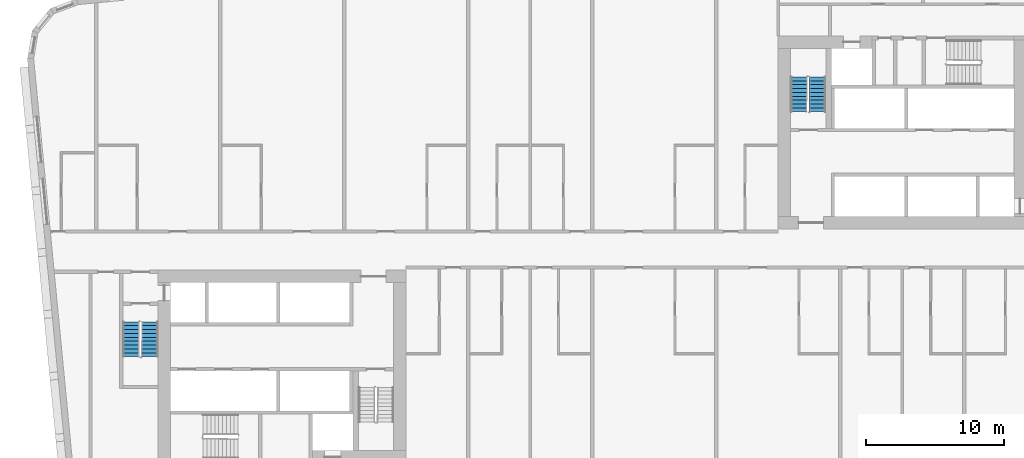
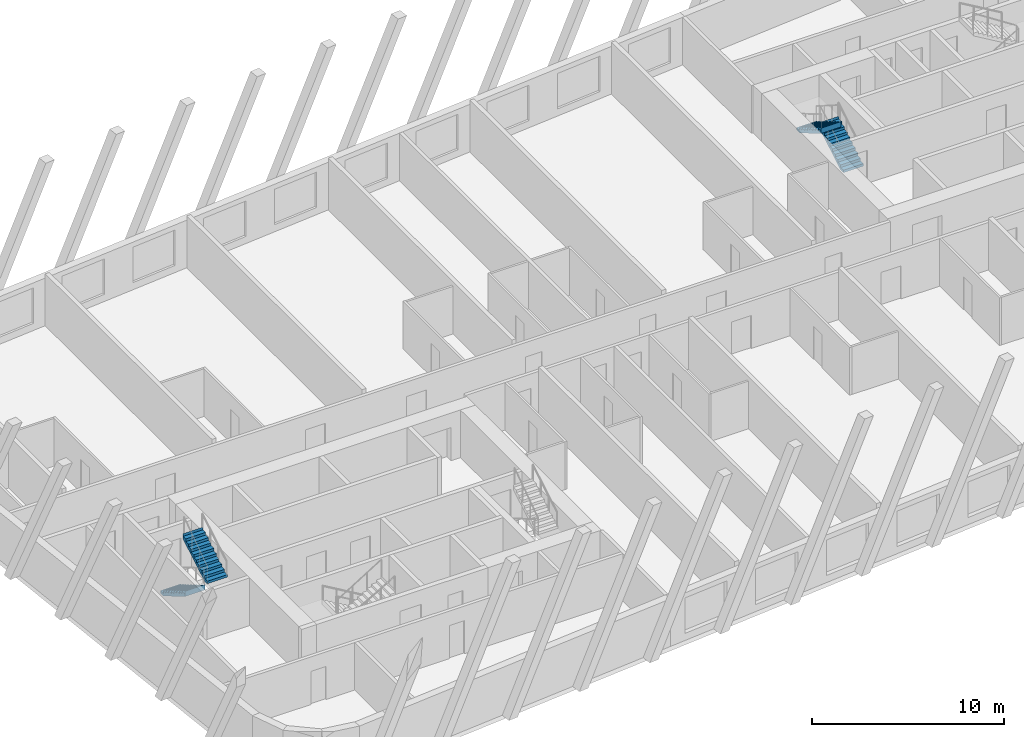
# One storey, part 10 of 13: 4 stair flights, 2 elements without a shape of their own.
"""IFC4 building model written with IfcOpenShell, lengths in metres."""

from ifc_helpers import new_model, si_unit, direction, frame, origin, place, context, subcontext, project, spatial, faceted_brep, material, type_object, element, aggregate, save


model = new_model("IFC4")

# Units and contexts
model_context = context("Model", 3, precision=1e-05, world=origin(), true_north=direction((0.0, 1.0)))
body_context = subcontext(model_context, "Body", "Model", "MODEL_VIEW")
ifc_project = project(units=[si_unit("LENGTHUNIT", "METRE"), si_unit("AREAUNIT", "SQUARE_METRE"), si_unit("VOLUMEUNIT", "CUBIC_METRE"), si_unit("PLANEANGLEUNIT", "RADIAN"), si_unit("MASSUNIT", "GRAM", prefix="KILO")], contexts=[model_context])

# Site, building, storey
site_placement = place(None, origin())
site = spatial("IfcSite", under=ifc_project, at=site_placement, CompositionType="ELEMENT")
building_placement = place(site_placement, origin())
building = spatial("IfcBuilding", under=site, at=building_placement, Name="Kajstack Hotel Tower", CompositionType="ELEMENT")
storey_placement = place(building_placement, frame((0.0, 0.0, 140.5)))
storey = spatial("IfcBuildingStorey", under=building, at=storey_placement, Name="L32", CompositionType="ELEMENT", Elevation=140.5)

# Stair, stair flights
ifc_material = material(Name="Concrete C40/50", Category="concrete")
stair_type = type_object("IfcStairType", Name="Exit stair 1200", PredefinedType="HALF_TURN_STAIR", material=ifc_material)
stair_1_placement = place(storey_placement, origin())
stair_1 = element("IfcStair", 1, at=stair_1_placement, inside=storey, type_object=stair_type, Name="L32 stair W1", PredefinedType="HALF_TURN_STAIR")
stair_flight_type = type_object("IfcStairFlightType", Name="Exit stair flight 1200", PredefinedType="STRAIGHT", material=ifc_material)
stair_flight_1_placement = place(storey_placement, frame((-33.449951171875, -5.25, 0.0), z_axis=(0.0, 0.0, 1.0), x_axis=(0.0, -1.0, 0.0)))
stair_flight_1 = element("IfcStairFlight", 2, at=stair_flight_1_placement, type_object=stair_flight_type, Name="W1 flight 1", NumberOfRisers=10, NumberOfTreads=9, PredefinedType="STRAIGHT", RiserHeight=0.165, TreadLength=0.28, context=body_context, shape_type="Brep", body=[
    faceted_brep([(0.295654296875, -0.60009765625, 0.0), (2.5205078125, -0.60009765625, 1.31103515625), (2.5205078125, -0.60009765625, 1.64990234375), (2.52001953125, -0.60009765625, 1.64990234375), (2.52001953125, -0.60009765625, 1.485107421875), (2.239990234375, -0.60009765625, 1.485107421875), (2.239990234375, -0.60009765625, 1.320068359375), (1.9599609375, -0.60009765625, 1.320068359375), (1.9599609375, -0.60009765625, 1.155029296875), (1.679931640625, -0.60009765625, 1.155029296875), (1.679931640625, -0.60009765625, 0.989990234375), (1.39990234375, -0.60009765625, 0.989990234375), (1.39990234375, -0.60009765625, 0.824951171875), (1.1201171875, -0.60009765625, 0.824951171875), (1.1201171875, -0.60009765625, 0.659912109375), (0.840087890625, -0.60009765625, 0.659912109375), (0.840087890625, -0.60009765625, 0.4951171875), (0.56005859375, -0.60009765625, 0.4951171875), (0.56005859375, -0.60009765625, 0.330078125), (0.280029296875, -0.60009765625, 0.330078125), (0.280029296875, -0.60009765625, 0.1650390625), (-0.00048828125, -0.60009765625, 0.1650390625), (-0.00048828125, -0.60009765625, 0.0), (-0.00048828125, 0.60009765625, 0.0), (-0.00048828125, 0.60009765625, 0.1650390625), (0.280029296875, 0.60009765625, 0.1650390625), (0.280029296875, 0.60009765625, 0.330078125), (0.56005859375, 0.60009765625, 0.330078125), (0.56005859375, 0.60009765625, 0.4951171875), (0.840087890625, 0.60009765625, 0.4951171875), (0.840087890625, 0.60009765625, 0.659912109375), (1.1201171875, 0.60009765625, 0.659912109375), (1.1201171875, 0.60009765625, 0.824951171875), (1.39990234375, 0.60009765625, 0.824951171875), (1.39990234375, 0.60009765625, 0.989990234375), (1.679931640625, 0.60009765625, 0.989990234375), (1.679931640625, 0.60009765625, 1.155029296875), (1.9599609375, 0.60009765625, 1.155029296875), (1.9599609375, 0.60009765625, 1.320068359375), (2.239990234375, 0.60009765625, 1.320068359375), (2.239990234375, 0.60009765625, 1.485107421875), (2.52001953125, 0.60009765625, 1.485107421875), (2.52001953125, 0.60009765625, 1.64990234375), (2.5205078125, 0.60009765625, 1.64990234375), (2.5205078125, 0.60009765625, 1.31103515625), (0.295654296875, 0.60009765625, 0.0), (-0.00048828125, -0.300048828125, 0.1650390625), (-0.00048828125, 0.0, 0.1650390625), (-0.00048828125, 0.300048828125, 0.1650390625), (-0.00048828125, 0.300048828125, 0.0), (-0.00048828125, 0.0, 0.0), (-0.00048828125, -0.300048828125, 0.0), (0.280029296875, -0.300048828125, 0.1650390625), (0.280029296875, 0.0, 0.1650390625), (0.280029296875, 0.300048828125, 0.1650390625), (0.280029296875, -0.300048828125, 0.330078125), (0.280029296875, 0.0, 0.330078125), (0.280029296875, 0.300048828125, 0.330078125), (0.56005859375, -0.300048828125, 0.330078125), (0.56005859375, 0.0, 0.330078125), (0.56005859375, 0.300048828125, 0.330078125), (0.56005859375, -0.300048828125, 0.4951171875), (0.56005859375, 0.0, 0.4951171875), (0.56005859375, 0.300048828125, 0.4951171875), (0.840087890625, -0.300048828125, 0.4951171875), (0.840087890625, 0.0, 0.4951171875), (0.840087890625, 0.300048828125, 0.4951171875), (0.840087890625, -0.300048828125, 0.659912109375), (0.840087890625, 0.0, 0.659912109375), (0.840087890625, 0.300048828125, 0.659912109375), (1.1201171875, -0.300048828125, 0.659912109375), (1.1201171875, 0.0, 0.659912109375), (1.1201171875, 0.300048828125, 0.659912109375), (1.1201171875, -0.300048828125, 0.824951171875), (1.1201171875, 0.0, 0.824951171875), (1.1201171875, 0.300048828125, 0.824951171875), (1.39990234375, -0.300048828125, 0.824951171875), (1.39990234375, 0.0, 0.824951171875), (1.39990234375, 0.300048828125, 0.824951171875), (1.39990234375, -0.300048828125, 0.989990234375), (1.39990234375, 0.0, 0.989990234375), (1.39990234375, 0.300048828125, 0.989990234375), (1.679931640625, -0.300048828125, 0.989990234375), (1.679931640625, 0.0, 0.989990234375), (1.679931640625, 0.300048828125, 0.989990234375), (1.679931640625, -0.300048828125, 1.155029296875), (1.679931640625, 0.0, 1.155029296875), (1.679931640625, 0.300048828125, 1.155029296875), (1.9599609375, -0.300048828125, 1.155029296875), (1.9599609375, 0.0, 1.155029296875), (1.9599609375, 0.300048828125, 1.155029296875), (1.9599609375, -0.300048828125, 1.320068359375), (1.9599609375, 0.0, 1.320068359375), (1.9599609375, 0.300048828125, 1.320068359375), (2.239990234375, -0.300048828125, 1.320068359375), (2.239990234375, 0.0, 1.320068359375), (2.239990234375, 0.300048828125, 1.320068359375), (2.239990234375, -0.300048828125, 1.485107421875), (2.239990234375, 0.0, 1.485107421875), (2.239990234375, 0.300048828125, 1.485107421875), (2.52001953125, -0.300048828125, 1.485107421875), (2.52001953125, 0.0, 1.485107421875), (2.52001953125, 0.300048828125, 1.485107421875), (2.52001953125, -0.300048828125, 1.64990234375), (2.52001953125, 0.0, 1.64990234375), (2.52001953125, 0.300048828125, 1.64990234375), (2.5205078125, -0.300048828125, 1.64990234375), (2.5205078125, 0.0, 1.64990234375), (2.5205078125, 0.300048828125, 1.64990234375), (2.5205078125, -0.300048828125, 1.31103515625), (2.5205078125, 0.0, 1.31103515625), (2.5205078125, 0.300048828125, 1.31103515625), (0.295654296875, -0.300048828125, 0.0), (0.295654296875, 0.0, 0.0), (0.295654296875, 0.300048828125, 0.0)], [[[0, 1, 2, 3, 4, 5, 6, 7, 8, 9, 10, 11, 12, 13, 14, 15, 16, 17, 18, 19, 20, 21, 22]], [[23, 24, 25, 26, 27, 28, 29, 30, 31, 32, 33, 34, 35, 36, 37, 38, 39, 40, 41, 42, 43, 44, 45]], [[21, 46, 47, 48, 24, 23, 49, 50, 51, 22]], [[20, 52, 53, 54, 25, 24, 48, 47, 46, 21]], [[19, 55, 56, 57, 26, 25, 54, 53, 52, 20]], [[18, 58, 59, 60, 27, 26, 57, 56, 55, 19]], [[17, 61, 62, 63, 28, 27, 60, 59, 58, 18]], [[16, 64, 65, 66, 29, 28, 63, 62, 61, 17]], [[15, 67, 68, 69, 30, 29, 66, 65, 64, 16]], [[14, 70, 71, 72, 31, 30, 69, 68, 67, 15]], [[13, 73, 74, 75, 32, 31, 72, 71, 70, 14]], [[12, 76, 77, 78, 33, 32, 75, 74, 73, 13]], [[11, 79, 80, 81, 34, 33, 78, 77, 76, 12]], [[10, 82, 83, 84, 35, 34, 81, 80, 79, 11]], [[9, 85, 86, 87, 36, 35, 84, 83, 82, 10]], [[8, 88, 89, 90, 37, 36, 87, 86, 85, 9]], [[7, 91, 92, 93, 38, 37, 90, 89, 88, 8]], [[6, 94, 95, 96, 39, 38, 93, 92, 91, 7]], [[5, 97, 98, 99, 40, 39, 96, 95, 94, 6]], [[4, 100, 101, 102, 41, 40, 99, 98, 97, 5]], [[3, 103, 104, 105, 42, 41, 102, 101, 100, 4]], [[2, 106, 107, 108, 43, 42, 105, 104, 103, 3]], [[1, 109, 110, 111, 44, 43, 108, 107, 106, 2]], [[0, 112, 113, 114, 45, 44, 111, 110, 109, 1]], [[22, 51, 50, 49, 23, 45, 114, 113, 112, 0]]]),
])
stair_flight_2_placement = place(storey_placement, frame((-32.10009765625, -7.77001953125, 1.64990234375), z_axis=(0.0, 0.0, 1.0), x_axis=(0.0, 1.0, 0.0)))
stair_flight_2 = element("IfcStairFlight", 3, at=stair_flight_2_placement, type_object=stair_flight_type, Name="W1 flight 2", NumberOfRisers=10, NumberOfTreads=9, PredefinedType="STRAIGHT", RiserHeight=0.165, TreadLength=0.28, context=body_context, shape_type="Brep", body=[
    faceted_brep([(0.295654296875, -0.60009765625, 0.0), (2.5205078125, -0.60009765625, 1.31103515625), (2.5205078125, -0.60009765625, 1.64990234375), (2.52001953125, -0.60009765625, 1.64990234375), (2.52001953125, -0.60009765625, 1.485107421875), (2.239990234375, -0.60009765625, 1.485107421875), (2.239990234375, -0.60009765625, 1.320068359375), (1.9599609375, -0.60009765625, 1.320068359375), (1.9599609375, -0.60009765625, 1.155029296875), (1.679931640625, -0.60009765625, 1.155029296875), (1.679931640625, -0.60009765625, 0.989990234375), (1.39990234375, -0.60009765625, 0.989990234375), (1.39990234375, -0.60009765625, 0.824951171875), (1.1201171875, -0.60009765625, 0.824951171875), (1.1201171875, -0.60009765625, 0.659912109375), (0.840087890625, -0.60009765625, 0.659912109375), (0.840087890625, -0.60009765625, 0.4951171875), (0.56005859375, -0.60009765625, 0.4951171875), (0.56005859375, -0.60009765625, 0.330078125), (0.280029296875, -0.60009765625, 0.330078125), (0.280029296875, -0.60009765625, 0.1650390625), (-0.00048828125, -0.60009765625, 0.1650390625), (-0.00048828125, -0.60009765625, 0.0), (-0.00048828125, 0.60009765625, 0.0), (-0.00048828125, 0.60009765625, 0.1650390625), (0.280029296875, 0.60009765625, 0.1650390625), (0.280029296875, 0.60009765625, 0.330078125), (0.56005859375, 0.60009765625, 0.330078125), (0.56005859375, 0.60009765625, 0.4951171875), (0.840087890625, 0.60009765625, 0.4951171875), (0.840087890625, 0.60009765625, 0.659912109375), (1.1201171875, 0.60009765625, 0.659912109375), (1.1201171875, 0.60009765625, 0.824951171875), (1.39990234375, 0.60009765625, 0.824951171875), (1.39990234375, 0.60009765625, 0.989990234375), (1.679931640625, 0.60009765625, 0.989990234375), (1.679931640625, 0.60009765625, 1.155029296875), (1.9599609375, 0.60009765625, 1.155029296875), (1.9599609375, 0.60009765625, 1.320068359375), (2.239990234375, 0.60009765625, 1.320068359375), (2.239990234375, 0.60009765625, 1.485107421875), (2.52001953125, 0.60009765625, 1.485107421875), (2.52001953125, 0.60009765625, 1.64990234375), (2.5205078125, 0.60009765625, 1.64990234375), (2.5205078125, 0.60009765625, 1.31103515625), (0.295654296875, 0.60009765625, 0.0), (-0.00048828125, -0.300048828125, 0.1650390625), (-0.00048828125, 0.0, 0.1650390625), (-0.00048828125, 0.300048828125, 0.1650390625), (-0.00048828125, 0.300048828125, 0.0), (-0.00048828125, 0.0, 0.0), (-0.00048828125, -0.300048828125, 0.0), (0.280029296875, -0.300048828125, 0.1650390625), (0.280029296875, 0.0, 0.1650390625), (0.280029296875, 0.300048828125, 0.1650390625), (0.280029296875, -0.300048828125, 0.330078125), (0.280029296875, 0.0, 0.330078125), (0.280029296875, 0.300048828125, 0.330078125), (0.56005859375, -0.300048828125, 0.330078125), (0.56005859375, 0.0, 0.330078125), (0.56005859375, 0.300048828125, 0.330078125), (0.56005859375, -0.300048828125, 0.4951171875), (0.56005859375, 0.0, 0.4951171875), (0.56005859375, 0.300048828125, 0.4951171875), (0.840087890625, -0.300048828125, 0.4951171875), (0.840087890625, 0.0, 0.4951171875), (0.840087890625, 0.300048828125, 0.4951171875), (0.840087890625, -0.300048828125, 0.659912109375), (0.840087890625, 0.0, 0.659912109375), (0.840087890625, 0.300048828125, 0.659912109375), (1.1201171875, -0.300048828125, 0.659912109375), (1.1201171875, 0.0, 0.659912109375), (1.1201171875, 0.300048828125, 0.659912109375), (1.1201171875, -0.300048828125, 0.824951171875), (1.1201171875, 0.0, 0.824951171875), (1.1201171875, 0.300048828125, 0.824951171875), (1.39990234375, -0.300048828125, 0.824951171875), (1.39990234375, 0.0, 0.824951171875), (1.39990234375, 0.300048828125, 0.824951171875), (1.39990234375, -0.300048828125, 0.989990234375), (1.39990234375, 0.0, 0.989990234375), (1.39990234375, 0.300048828125, 0.989990234375), (1.679931640625, -0.300048828125, 0.989990234375), (1.679931640625, 0.0, 0.989990234375), (1.679931640625, 0.300048828125, 0.989990234375), (1.679931640625, -0.300048828125, 1.155029296875), (1.679931640625, 0.0, 1.155029296875), (1.679931640625, 0.300048828125, 1.155029296875), (1.9599609375, -0.300048828125, 1.155029296875), (1.9599609375, 0.0, 1.155029296875), (1.9599609375, 0.300048828125, 1.155029296875), (1.9599609375, -0.300048828125, 1.320068359375), (1.9599609375, 0.0, 1.320068359375), (1.9599609375, 0.300048828125, 1.320068359375), (2.239990234375, -0.300048828125, 1.320068359375), (2.239990234375, 0.0, 1.320068359375), (2.239990234375, 0.300048828125, 1.320068359375), (2.239990234375, -0.300048828125, 1.485107421875), (2.239990234375, 0.0, 1.485107421875), (2.239990234375, 0.300048828125, 1.485107421875), (2.52001953125, -0.300048828125, 1.485107421875), (2.52001953125, 0.0, 1.485107421875), (2.52001953125, 0.300048828125, 1.485107421875), (2.52001953125, -0.300048828125, 1.64990234375), (2.52001953125, 0.0, 1.64990234375), (2.52001953125, 0.300048828125, 1.64990234375), (2.5205078125, -0.300048828125, 1.64990234375), (2.5205078125, 0.0, 1.64990234375), (2.5205078125, 0.300048828125, 1.64990234375), (2.5205078125, -0.300048828125, 1.31103515625), (2.5205078125, 0.0, 1.31103515625), (2.5205078125, 0.300048828125, 1.31103515625), (0.295654296875, -0.300048828125, 0.0), (0.295654296875, 0.0, 0.0), (0.295654296875, 0.300048828125, 0.0)], [[[0, 1, 2, 3, 4, 5, 6, 7, 8, 9, 10, 11, 12, 13, 14, 15, 16, 17, 18, 19, 20, 21, 22]], [[23, 24, 25, 26, 27, 28, 29, 30, 31, 32, 33, 34, 35, 36, 37, 38, 39, 40, 41, 42, 43, 44, 45]], [[21, 46, 47, 48, 24, 23, 49, 50, 51, 22]], [[20, 52, 53, 54, 25, 24, 48, 47, 46, 21]], [[19, 55, 56, 57, 26, 25, 54, 53, 52, 20]], [[18, 58, 59, 60, 27, 26, 57, 56, 55, 19]], [[17, 61, 62, 63, 28, 27, 60, 59, 58, 18]], [[16, 64, 65, 66, 29, 28, 63, 62, 61, 17]], [[15, 67, 68, 69, 30, 29, 66, 65, 64, 16]], [[14, 70, 71, 72, 31, 30, 69, 68, 67, 15]], [[13, 73, 74, 75, 32, 31, 72, 71, 70, 14]], [[12, 76, 77, 78, 33, 32, 75, 74, 73, 13]], [[11, 79, 80, 81, 34, 33, 78, 77, 76, 12]], [[10, 82, 83, 84, 35, 34, 81, 80, 79, 11]], [[9, 85, 86, 87, 36, 35, 84, 83, 82, 10]], [[8, 88, 89, 90, 37, 36, 87, 86, 85, 9]], [[7, 91, 92, 93, 38, 37, 90, 89, 88, 8]], [[6, 94, 95, 96, 39, 38, 93, 92, 91, 7]], [[5, 97, 98, 99, 40, 39, 96, 95, 94, 6]], [[4, 100, 101, 102, 41, 40, 99, 98, 97, 5]], [[3, 103, 104, 105, 42, 41, 102, 101, 100, 4]], [[2, 106, 107, 108, 43, 42, 105, 104, 103, 3]], [[1, 109, 110, 111, 44, 43, 108, 107, 106, 2]], [[0, 112, 113, 114, 45, 44, 111, 110, 109, 1]], [[22, 51, 50, 49, 23, 45, 114, 113, 112, 0]]]),
])
aggregate(stair_1, [stair_flight_1, stair_flight_2])

stair_2_placement = place(storey_placement, origin())
stair_2 = element("IfcStair", 4, at=stair_2_placement, inside=storey, type_object=stair_type, Name="L32 stair E2", PredefinedType="HALF_TURN_STAIR")
stair_flight_3_placement = place(storey_placement, frame((16.35009765625, 10.0, 0.0), z_axis=(0.0, 0.0, 1.0), x_axis=(0.0, 1.0, 0.0)))
stair_flight_3 = element("IfcStairFlight", 5, at=stair_flight_3_placement, type_object=stair_flight_type, Name="E2 flight 1", NumberOfRisers=10, NumberOfTreads=9, PredefinedType="STRAIGHT", RiserHeight=0.165, TreadLength=0.28, context=body_context, shape_type="Brep", body=[
    faceted_brep([(0.295654296875, -0.60009765625, 0.0), (2.5205078125, -0.60009765625, 1.31103515625), (2.5205078125, -0.60009765625, 1.64990234375), (2.52001953125, -0.60009765625, 1.64990234375), (2.52001953125, -0.60009765625, 1.485107421875), (2.239990234375, -0.60009765625, 1.485107421875), (2.239990234375, -0.60009765625, 1.320068359375), (1.9599609375, -0.60009765625, 1.320068359375), (1.9599609375, -0.60009765625, 1.155029296875), (1.679931640625, -0.60009765625, 1.155029296875), (1.679931640625, -0.60009765625, 0.989990234375), (1.39990234375, -0.60009765625, 0.989990234375), (1.39990234375, -0.60009765625, 0.824951171875), (1.1201171875, -0.60009765625, 0.824951171875), (1.1201171875, -0.60009765625, 0.659912109375), (0.840087890625, -0.60009765625, 0.659912109375), (0.840087890625, -0.60009765625, 0.4951171875), (0.56005859375, -0.60009765625, 0.4951171875), (0.56005859375, -0.60009765625, 0.330078125), (0.280029296875, -0.60009765625, 0.330078125), (0.280029296875, -0.60009765625, 0.1650390625), (-0.00048828125, -0.60009765625, 0.1650390625), (-0.00048828125, -0.60009765625, 0.0), (-0.00048828125, 0.60009765625, 0.0), (-0.00048828125, 0.60009765625, 0.1650390625), (0.280029296875, 0.60009765625, 0.1650390625), (0.280029296875, 0.60009765625, 0.330078125), (0.56005859375, 0.60009765625, 0.330078125), (0.56005859375, 0.60009765625, 0.4951171875), (0.840087890625, 0.60009765625, 0.4951171875), (0.840087890625, 0.60009765625, 0.659912109375), (1.1201171875, 0.60009765625, 0.659912109375), (1.1201171875, 0.60009765625, 0.824951171875), (1.39990234375, 0.60009765625, 0.824951171875), (1.39990234375, 0.60009765625, 0.989990234375), (1.679931640625, 0.60009765625, 0.989990234375), (1.679931640625, 0.60009765625, 1.155029296875), (1.9599609375, 0.60009765625, 1.155029296875), (1.9599609375, 0.60009765625, 1.320068359375), (2.239990234375, 0.60009765625, 1.320068359375), (2.239990234375, 0.60009765625, 1.485107421875), (2.52001953125, 0.60009765625, 1.485107421875), (2.52001953125, 0.60009765625, 1.64990234375), (2.5205078125, 0.60009765625, 1.64990234375), (2.5205078125, 0.60009765625, 1.31103515625), (0.295654296875, 0.60009765625, 0.0), (-0.00048828125, -0.300048828125, 0.1650390625), (-0.00048828125, 0.0, 0.1650390625), (-0.00048828125, 0.300048828125, 0.1650390625), (-0.00048828125, 0.300048828125, 0.0), (-0.00048828125, 0.0, 0.0), (-0.00048828125, -0.300048828125, 0.0), (0.280029296875, -0.300048828125, 0.1650390625), (0.280029296875, 0.0, 0.1650390625), (0.280029296875, 0.300048828125, 0.1650390625), (0.280029296875, -0.300048828125, 0.330078125), (0.280029296875, 0.0, 0.330078125), (0.280029296875, 0.300048828125, 0.330078125), (0.56005859375, -0.300048828125, 0.330078125), (0.56005859375, 0.0, 0.330078125), (0.56005859375, 0.300048828125, 0.330078125), (0.56005859375, -0.300048828125, 0.4951171875), (0.56005859375, 0.0, 0.4951171875), (0.56005859375, 0.300048828125, 0.4951171875), (0.840087890625, -0.300048828125, 0.4951171875), (0.840087890625, 0.0, 0.4951171875), (0.840087890625, 0.300048828125, 0.4951171875), (0.840087890625, -0.300048828125, 0.659912109375), (0.840087890625, 0.0, 0.659912109375), (0.840087890625, 0.300048828125, 0.659912109375), (1.1201171875, -0.300048828125, 0.659912109375), (1.1201171875, 0.0, 0.659912109375), (1.1201171875, 0.300048828125, 0.659912109375), (1.1201171875, -0.300048828125, 0.824951171875), (1.1201171875, 0.0, 0.824951171875), (1.1201171875, 0.300048828125, 0.824951171875), (1.39990234375, -0.300048828125, 0.824951171875), (1.39990234375, 0.0, 0.824951171875), (1.39990234375, 0.300048828125, 0.824951171875), (1.39990234375, -0.300048828125, 0.989990234375), (1.39990234375, 0.0, 0.989990234375), (1.39990234375, 0.300048828125, 0.989990234375), (1.679931640625, -0.300048828125, 0.989990234375), (1.679931640625, 0.0, 0.989990234375), (1.679931640625, 0.300048828125, 0.989990234375), (1.679931640625, -0.300048828125, 1.155029296875), (1.679931640625, 0.0, 1.155029296875), (1.679931640625, 0.300048828125, 1.155029296875), (1.9599609375, -0.300048828125, 1.155029296875), (1.9599609375, 0.0, 1.155029296875), (1.9599609375, 0.300048828125, 1.155029296875), (1.9599609375, -0.300048828125, 1.320068359375), (1.9599609375, 0.0, 1.320068359375), (1.9599609375, 0.300048828125, 1.320068359375), (2.239990234375, -0.300048828125, 1.320068359375), (2.239990234375, 0.0, 1.320068359375), (2.239990234375, 0.300048828125, 1.320068359375), (2.239990234375, -0.300048828125, 1.485107421875), (2.239990234375, 0.0, 1.485107421875), (2.239990234375, 0.300048828125, 1.485107421875), (2.52001953125, -0.300048828125, 1.485107421875), (2.52001953125, 0.0, 1.485107421875), (2.52001953125, 0.300048828125, 1.485107421875), (2.52001953125, -0.300048828125, 1.64990234375), (2.52001953125, 0.0, 1.64990234375), (2.52001953125, 0.300048828125, 1.64990234375), (2.5205078125, -0.300048828125, 1.64990234375), (2.5205078125, 0.0, 1.64990234375), (2.5205078125, 0.300048828125, 1.64990234375), (2.5205078125, -0.300048828125, 1.31103515625), (2.5205078125, 0.0, 1.31103515625), (2.5205078125, 0.300048828125, 1.31103515625), (0.295654296875, -0.300048828125, 0.0), (0.295654296875, 0.0, 0.0), (0.295654296875, 0.300048828125, 0.0)], [[[0, 1, 2, 3, 4, 5, 6, 7, 8, 9, 10, 11, 12, 13, 14, 15, 16, 17, 18, 19, 20, 21, 22]], [[23, 24, 25, 26, 27, 28, 29, 30, 31, 32, 33, 34, 35, 36, 37, 38, 39, 40, 41, 42, 43, 44, 45]], [[21, 46, 47, 48, 24, 23, 49, 50, 51, 22]], [[20, 52, 53, 54, 25, 24, 48, 47, 46, 21]], [[19, 55, 56, 57, 26, 25, 54, 53, 52, 20]], [[18, 58, 59, 60, 27, 26, 57, 56, 55, 19]], [[17, 61, 62, 63, 28, 27, 60, 59, 58, 18]], [[16, 64, 65, 66, 29, 28, 63, 62, 61, 17]], [[15, 67, 68, 69, 30, 29, 66, 65, 64, 16]], [[14, 70, 71, 72, 31, 30, 69, 68, 67, 15]], [[13, 73, 74, 75, 32, 31, 72, 71, 70, 14]], [[12, 76, 77, 78, 33, 32, 75, 74, 73, 13]], [[11, 79, 80, 81, 34, 33, 78, 77, 76, 12]], [[10, 82, 83, 84, 35, 34, 81, 80, 79, 11]], [[9, 85, 86, 87, 36, 35, 84, 83, 82, 10]], [[8, 88, 89, 90, 37, 36, 87, 86, 85, 9]], [[7, 91, 92, 93, 38, 37, 90, 89, 88, 8]], [[6, 94, 95, 96, 39, 38, 93, 92, 91, 7]], [[5, 97, 98, 99, 40, 39, 96, 95, 94, 6]], [[4, 100, 101, 102, 41, 40, 99, 98, 97, 5]], [[3, 103, 104, 105, 42, 41, 102, 101, 100, 4]], [[2, 106, 107, 108, 43, 42, 105, 104, 103, 3]], [[1, 109, 110, 111, 44, 43, 108, 107, 106, 2]], [[0, 112, 113, 114, 45, 44, 111, 110, 109, 1]], [[22, 51, 50, 49, 23, 45, 114, 113, 112, 0]]]),
])
stair_flight_4_placement = place(storey_placement, frame((15.0, 12.52001953125, 1.64990234375), z_axis=(0.0, 0.0, 1.0), x_axis=(0.0, -1.0, 0.0)))
stair_flight_4 = element("IfcStairFlight", 6, at=stair_flight_4_placement, type_object=stair_flight_type, Name="E2 flight 2", NumberOfRisers=10, NumberOfTreads=9, PredefinedType="STRAIGHT", RiserHeight=0.165, TreadLength=0.28, context=body_context, shape_type="Brep", body=[
    faceted_brep([(0.295654296875, -0.60009765625, 0.0), (2.5205078125, -0.60009765625, 1.31103515625), (2.5205078125, -0.60009765625, 1.64990234375), (2.52001953125, -0.60009765625, 1.64990234375), (2.52001953125, -0.60009765625, 1.485107421875), (2.239990234375, -0.60009765625, 1.485107421875), (2.239990234375, -0.60009765625, 1.320068359375), (1.9599609375, -0.60009765625, 1.320068359375), (1.9599609375, -0.60009765625, 1.155029296875), (1.679931640625, -0.60009765625, 1.155029296875), (1.679931640625, -0.60009765625, 0.989990234375), (1.39990234375, -0.60009765625, 0.989990234375), (1.39990234375, -0.60009765625, 0.824951171875), (1.1201171875, -0.60009765625, 0.824951171875), (1.1201171875, -0.60009765625, 0.659912109375), (0.840087890625, -0.60009765625, 0.659912109375), (0.840087890625, -0.60009765625, 0.4951171875), (0.56005859375, -0.60009765625, 0.4951171875), (0.56005859375, -0.60009765625, 0.330078125), (0.280029296875, -0.60009765625, 0.330078125), (0.280029296875, -0.60009765625, 0.1650390625), (-0.00048828125, -0.60009765625, 0.1650390625), (-0.00048828125, -0.60009765625, 0.0), (-0.00048828125, 0.60009765625, 0.0), (-0.00048828125, 0.60009765625, 0.1650390625), (0.280029296875, 0.60009765625, 0.1650390625), (0.280029296875, 0.60009765625, 0.330078125), (0.56005859375, 0.60009765625, 0.330078125), (0.56005859375, 0.60009765625, 0.4951171875), (0.840087890625, 0.60009765625, 0.4951171875), (0.840087890625, 0.60009765625, 0.659912109375), (1.1201171875, 0.60009765625, 0.659912109375), (1.1201171875, 0.60009765625, 0.824951171875), (1.39990234375, 0.60009765625, 0.824951171875), (1.39990234375, 0.60009765625, 0.989990234375), (1.679931640625, 0.60009765625, 0.989990234375), (1.679931640625, 0.60009765625, 1.155029296875), (1.9599609375, 0.60009765625, 1.155029296875), (1.9599609375, 0.60009765625, 1.320068359375), (2.239990234375, 0.60009765625, 1.320068359375), (2.239990234375, 0.60009765625, 1.485107421875), (2.52001953125, 0.60009765625, 1.485107421875), (2.52001953125, 0.60009765625, 1.64990234375), (2.5205078125, 0.60009765625, 1.64990234375), (2.5205078125, 0.60009765625, 1.31103515625), (0.295654296875, 0.60009765625, 0.0), (-0.00048828125, -0.300048828125, 0.1650390625), (-0.00048828125, 0.0, 0.1650390625), (-0.00048828125, 0.300048828125, 0.1650390625), (-0.00048828125, 0.300048828125, 0.0), (-0.00048828125, 0.0, 0.0), (-0.00048828125, -0.300048828125, 0.0), (0.280029296875, -0.300048828125, 0.1650390625), (0.280029296875, 0.0, 0.1650390625), (0.280029296875, 0.300048828125, 0.1650390625), (0.280029296875, -0.300048828125, 0.330078125), (0.280029296875, 0.0, 0.330078125), (0.280029296875, 0.300048828125, 0.330078125), (0.56005859375, -0.300048828125, 0.330078125), (0.56005859375, 0.0, 0.330078125), (0.56005859375, 0.300048828125, 0.330078125), (0.56005859375, -0.300048828125, 0.4951171875), (0.56005859375, 0.0, 0.4951171875), (0.56005859375, 0.300048828125, 0.4951171875), (0.840087890625, -0.300048828125, 0.4951171875), (0.840087890625, 0.0, 0.4951171875), (0.840087890625, 0.300048828125, 0.4951171875), (0.840087890625, -0.300048828125, 0.659912109375), (0.840087890625, 0.0, 0.659912109375), (0.840087890625, 0.300048828125, 0.659912109375), (1.1201171875, -0.300048828125, 0.659912109375), (1.1201171875, 0.0, 0.659912109375), (1.1201171875, 0.300048828125, 0.659912109375), (1.1201171875, -0.300048828125, 0.824951171875), (1.1201171875, 0.0, 0.824951171875), (1.1201171875, 0.300048828125, 0.824951171875), (1.39990234375, -0.300048828125, 0.824951171875), (1.39990234375, 0.0, 0.824951171875), (1.39990234375, 0.300048828125, 0.824951171875), (1.39990234375, -0.300048828125, 0.989990234375), (1.39990234375, 0.0, 0.989990234375), (1.39990234375, 0.300048828125, 0.989990234375), (1.679931640625, -0.300048828125, 0.989990234375), (1.679931640625, 0.0, 0.989990234375), (1.679931640625, 0.300048828125, 0.989990234375), (1.679931640625, -0.300048828125, 1.155029296875), (1.679931640625, 0.0, 1.155029296875), (1.679931640625, 0.300048828125, 1.155029296875), (1.9599609375, -0.300048828125, 1.155029296875), (1.9599609375, 0.0, 1.155029296875), (1.9599609375, 0.300048828125, 1.155029296875), (1.9599609375, -0.300048828125, 1.320068359375), (1.9599609375, 0.0, 1.320068359375), (1.9599609375, 0.300048828125, 1.320068359375), (2.239990234375, -0.300048828125, 1.320068359375), (2.239990234375, 0.0, 1.320068359375), (2.239990234375, 0.300048828125, 1.320068359375), (2.239990234375, -0.300048828125, 1.485107421875), (2.239990234375, 0.0, 1.485107421875), (2.239990234375, 0.300048828125, 1.485107421875), (2.52001953125, -0.300048828125, 1.485107421875), (2.52001953125, 0.0, 1.485107421875), (2.52001953125, 0.300048828125, 1.485107421875), (2.52001953125, -0.300048828125, 1.64990234375), (2.52001953125, 0.0, 1.64990234375), (2.52001953125, 0.300048828125, 1.64990234375), (2.5205078125, -0.300048828125, 1.64990234375), (2.5205078125, 0.0, 1.64990234375), (2.5205078125, 0.300048828125, 1.64990234375), (2.5205078125, -0.300048828125, 1.31103515625), (2.5205078125, 0.0, 1.31103515625), (2.5205078125, 0.300048828125, 1.31103515625), (0.295654296875, -0.300048828125, 0.0), (0.295654296875, 0.0, 0.0), (0.295654296875, 0.300048828125, 0.0)], [[[0, 1, 2, 3, 4, 5, 6, 7, 8, 9, 10, 11, 12, 13, 14, 15, 16, 17, 18, 19, 20, 21, 22]], [[23, 24, 25, 26, 27, 28, 29, 30, 31, 32, 33, 34, 35, 36, 37, 38, 39, 40, 41, 42, 43, 44, 45]], [[21, 46, 47, 48, 24, 23, 49, 50, 51, 22]], [[20, 52, 53, 54, 25, 24, 48, 47, 46, 21]], [[19, 55, 56, 57, 26, 25, 54, 53, 52, 20]], [[18, 58, 59, 60, 27, 26, 57, 56, 55, 19]], [[17, 61, 62, 63, 28, 27, 60, 59, 58, 18]], [[16, 64, 65, 66, 29, 28, 63, 62, 61, 17]], [[15, 67, 68, 69, 30, 29, 66, 65, 64, 16]], [[14, 70, 71, 72, 31, 30, 69, 68, 67, 15]], [[13, 73, 74, 75, 32, 31, 72, 71, 70, 14]], [[12, 76, 77, 78, 33, 32, 75, 74, 73, 13]], [[11, 79, 80, 81, 34, 33, 78, 77, 76, 12]], [[10, 82, 83, 84, 35, 34, 81, 80, 79, 11]], [[9, 85, 86, 87, 36, 35, 84, 83, 82, 10]], [[8, 88, 89, 90, 37, 36, 87, 86, 85, 9]], [[7, 91, 92, 93, 38, 37, 90, 89, 88, 8]], [[6, 94, 95, 96, 39, 38, 93, 92, 91, 7]], [[5, 97, 98, 99, 40, 39, 96, 95, 94, 6]], [[4, 100, 101, 102, 41, 40, 99, 98, 97, 5]], [[3, 103, 104, 105, 42, 41, 102, 101, 100, 4]], [[2, 106, 107, 108, 43, 42, 105, 104, 103, 3]], [[1, 109, 110, 111, 44, 43, 108, 107, 106, 2]], [[0, 112, 113, 114, 45, 44, 111, 110, 109, 1]], [[22, 51, 50, 49, 23, 45, 114, 113, 112, 0]]]),
])
aggregate(stair_2, [stair_flight_3, stair_flight_4])

save(model, "model.ifc")
